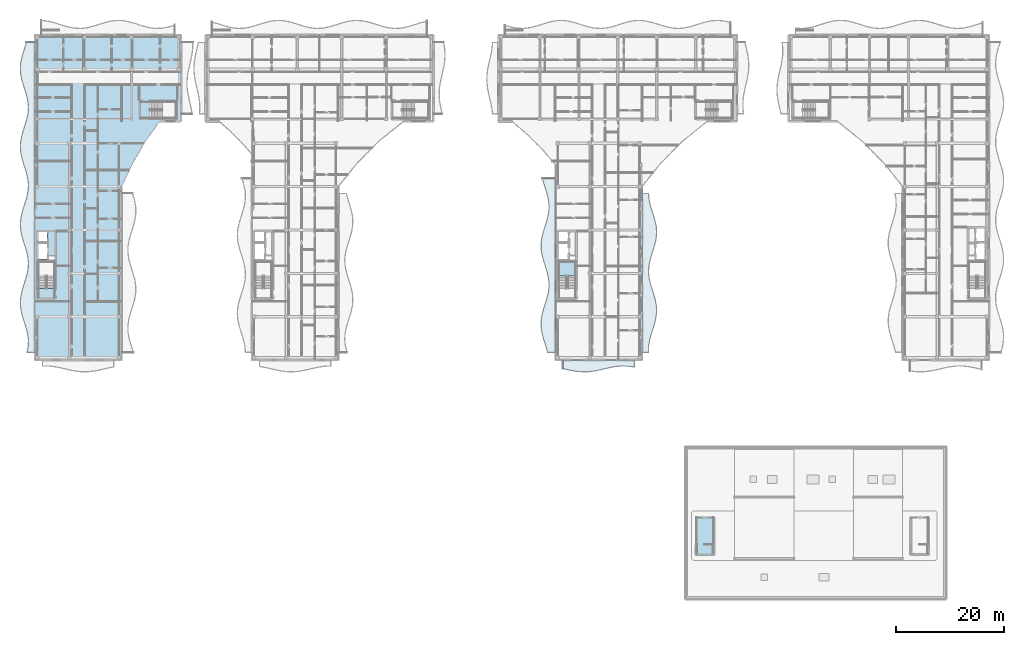
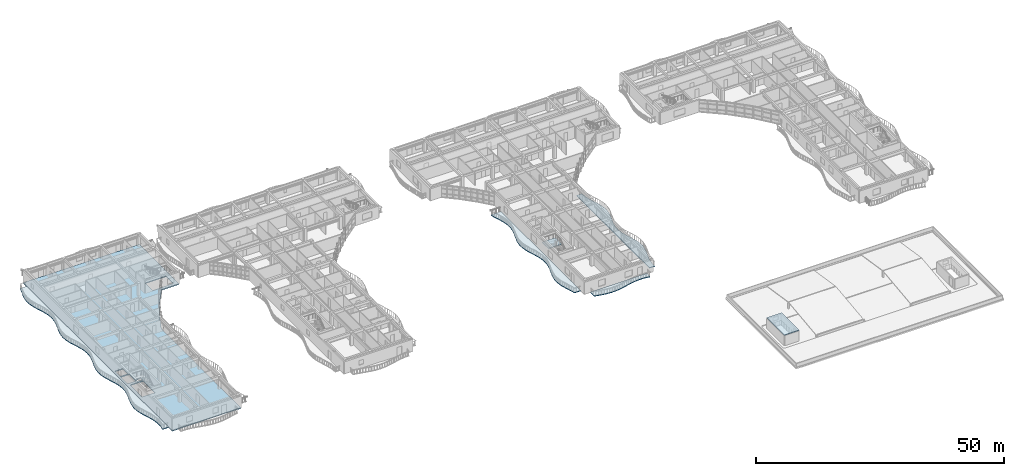
# One storey, part 29 of 79: 7 slabs, 1 element without a shape of its own.
"""IFC4 building model written with IfcOpenShell, lengths in metres."""

from ifc_helpers import new_model, si_unit, direction, frame, origin, place, context, subcontext, project, spatial, polyline, outline, extrude, material, layer, layer_set, type_object, element, aggregate, save


model = new_model("IFC4")

# Units and contexts
model_context = context("Model", 3, precision=1e-05, world=origin(), true_north=direction((0.0, 1.0)))
body_context = subcontext(model_context, "Body", "Model", "MODEL_VIEW")
ifc_project = project(units=[si_unit("LENGTHUNIT", "METRE"), si_unit("AREAUNIT", "SQUARE_METRE"), si_unit("VOLUMEUNIT", "CUBIC_METRE"), si_unit("PLANEANGLEUNIT", "RADIAN"), si_unit("MASSUNIT", "GRAM", prefix="KILO")], contexts=[model_context])

# Site, building, storey
site_placement = place(None, origin())
site = spatial("IfcSite", under=ifc_project, at=site_placement, CompositionType="ELEMENT")
building_placement = place(site_placement, origin())
building = spatial("IfcBuilding", under=site, at=building_placement, Name="Keldmere Railside Commons", CompositionType="ELEMENT")
storey_placement = place(building_placement, frame((0.0, 0.0, 10.56005859375)))
storey = spatial("IfcBuildingStorey", under=building, at=storey_placement, Name="L03", CompositionType="ELEMENT", Elevation=10.56005859375)

# Slab
ifc_material_1 = material(Name="Concrete H-35 (C35/45)", Category="concrete")
ifc_layer_1 = layer(ifc_material_1, 0.14990234375, Name="Canopy & Headhouse Roof Slab 150")
ifc_layer_set_1 = layer_set([ifc_layer_1], Name="Concrete H-35 (C35/45)")
slab_type_1 = type_object("IfcSlabType", Name="Canopy & Headhouse Roof Slab 150", PredefinedType="ROOF", material=ifc_layer_set_1)
slab_1_placement = place(storey_placement, frame((0.0, 0.0, 2.5)))
element("IfcSlab", 1, at=slab_1_placement, inside=storey, type_object=slab_type_1, Name="RT-3 Arcade Headhouse Roof 1", PredefinedType="ROOF", context=body_context, shape_type="SweptSolid", body=[
    extrude(outline(polyline([(129.81005859375, 20.050048828125), (133.300048828125, 20.050048828125), (133.300048828125, 27.14990234375), (129.81005859375, 27.14990234375), (129.81005859375, 20.050048828125)])), origin(), (0.0, 0.0, 1.0), 0.14990234375),
])

# Stair, slab
ifc_material_2 = material(Name="Concrete H-30 (C30/37)", Category="concrete")
stair_type = type_object("IfcStairType", Name="Basement Garage Dogleg Escape Stair 1450", PredefinedType="HALF_TURN_STAIR", material=ifc_material_2)
stair_placement = place(storey_placement, origin())
stair = element("IfcStair", 2, at=stair_placement, inside=storey, type_object=stair_type, Name="L03 Block B Primary Escape Stair 1", PredefinedType="HALF_TURN_STAIR")
ifc_layer_2 = layer(ifc_material_2, 0.199951171875, Name="Enclosed Stair Landing Slab 200")
ifc_layer_set_2 = layer_set([ifc_layer_2], Name="Concrete H-30 (C30/37)")
slab_type_2 = type_object("IfcSlabType", Name="Enclosed Stair Landing Slab 200", PredefinedType="LANDING", material=ifc_layer_set_2)
slab_2_placement = place(storey_placement, frame((0.0, 0.0, 1.39990234375)))
slab_2 = element("IfcSlab", 3, at=slab_2_placement, type_object=slab_type_2, Name="ST-B1 landing 1", PredefinedType="LANDING", context=body_context, shape_type="SweptSolid", body=[
    extrude(outline(polyline([(107.699951171875, 71.52001953125), (107.699951171875, 74.10009765625), (104.64990234375, 74.10009765625), (104.64990234375, 71.52001953125), (107.699951171875, 71.52001953125)])), origin(), (0.0, 0.0, 1.0), 0.199951171875),
])
aggregate(stair, [slab_2])

# Slabs
ifc_layer_3 = layer(ifc_material_2, 0.219970703125, Name="Residential Flat Slab 220")
ifc_layer_set_3 = layer_set([ifc_layer_3], Name="Concrete H-30 (C30/37)")
slab_type_3 = type_object("IfcSlabType", Name="Residential Flat Slab 220", PredefinedType="FLOOR", material=ifc_layer_set_3)
slab_3_placement = place(storey_placement, frame((0.0, 0.0, -0.219970703125)))
element("IfcSlab", 4, at=slab_3_placement, inside=storey, type_object=slab_type_3, Name="FS-2 BLKD-L03-010", PredefinedType="FLOOR", context=body_context, shape_type="SweptSolid", body=[
    extrude(outline(polyline([(8.0, 56.0), (24.0, 56.0), (24.0, 88.0), (25.971923828125, 92.202880859375), (28.31201171875, 96.214111328125), (31.0, 100.0), (35.0, 100.0), (35.0, 116.0), (8.0, 116.0), (8.0, 56.0)]), holes=[polyline([(11.675048828125, 69.22509765625), (8.675048828125, 69.22509765625), (8.675048828125, 74.074951171875), (11.675048828125, 74.074951171875), (11.675048828125, 69.22509765625)]), polyline([(11.699951171875, 74.419921875), (10.60009765625, 74.419921875), (10.60009765625, 75.159912109375), (11.699951171875, 75.159912109375), (11.699951171875, 74.419921875)]), polyline([(8.39990234375, 74.699951171875), (8.39990234375, 77.5), (10.39990234375, 77.5), (10.39990234375, 74.699951171875), (8.39990234375, 74.699951171875)]), polyline([(8.39990234375, 77.75), (8.39990234375, 79.800048828125), (10.300048828125, 79.800048828125), (10.300048828125, 77.75), (8.39990234375, 77.75)]), polyline([(29.22509765625, 103.625), (34.074951171875, 103.625), (34.074951171875, 100.625), (29.22509765625, 100.625), (29.22509765625, 103.625)])]), origin(), (0.0, 0.0, 1.0), 0.219970703125),
])
ifc_material_3 = material(Name="White Precast Concrete H-35 (C35/45)", Category="concrete")
ifc_layer_4 = layer(ifc_material_3, 0.179931640625, Name="Sinusoidal Wave Balcony Slab 180")
ifc_layer_set_4 = layer_set([ifc_layer_4], Name="White Precast Concrete H-35 (C35/45)")
slab_type_4 = type_object("IfcSlabType", Name="Sinusoidal Wave Balcony Slab 180", PredefinedType="FLOOR", material=ifc_layer_set_4)
slab_4_placement = place(storey_placement, frame((0.0, 0.0, -0.18017578125)))
element("IfcSlab", 5, at=slab_4_placement, inside=storey, type_object=slab_type_4, Name="WB-1 D L03 CW Wave Balcony", PredefinedType="FLOOR", context=body_context, shape_type="SweptSolid", body=[
    extrude(outline(polyline([(8.0, 57.39990234375), (8.0, 58.591796875), (8.0, 59.783203125), (8.0, 60.97509765625), (8.0, 62.166748046875), (8.0, 63.3583984375), (8.0, 64.550048828125), (8.0, 65.74169921875), (8.0, 66.933349609375), (8.0, 68.125), (8.0, 69.316650390625), (8.0, 70.50830078125), (8.0, 71.699951171875), (8.0, 72.8916015625), (8.0, 74.083251953125), (8.0, 75.27490234375), (8.0, 76.466796875), (8.0, 77.658203125), (8.0, 78.85009765625), (8.0, 80.041748046875), (8.0, 81.2333984375), (8.0, 82.425048828125), (8.0, 83.61669921875), (8.0, 84.808349609375), (8.0, 86.0), (8.0, 87.191650390625), (8.0, 88.38330078125), (8.0, 89.574951171875), (8.0, 90.7666015625), (8.0, 91.958251953125), (8.0, 93.14990234375), (8.0, 94.341796875), (8.0, 95.533203125), (8.0, 96.72509765625), (8.0, 97.916748046875), (8.0, 99.1083984375), (8.0, 100.300048828125), (8.0, 101.49169921875), (8.0, 102.683349609375), (8.0, 103.875), (8.0, 105.066650390625), (8.0, 106.25830078125), (8.0, 107.449951171875), (8.0, 108.6416015625), (8.0, 109.833251953125), (8.0, 111.02490234375), (8.0, 112.216796875), (8.0, 113.408203125), (8.0, 114.60009765625), (6.431640625, 114.60009765625), (6.060302734375, 113.408203125), (5.6865234375, 112.216796875), (5.40869140625, 111.02490234375), (5.30029296875, 109.833251953125), (5.39013671875, 108.6416015625), (5.654296875, 107.449951171875), (6.023193359375, 106.25830078125), (6.399169921875, 105.066650390625), (6.682861328125, 103.875), (6.79931640625, 102.683349609375), (6.717529296875, 101.49169921875), (6.45947265625, 100.300048828125), (6.093017578125, 99.1083984375), (5.71533203125, 97.916748046875), (5.426025390625, 96.72509765625), (5.3017578125, 95.533203125), (5.375244140625, 94.341796875), (5.626953125, 93.14990234375), (5.990478515625, 91.958251953125), (6.369873046875, 90.7666015625), (6.66455078125, 89.574951171875), (6.796875, 88.38330078125), (6.731689453125, 87.191650390625), (6.486572265625, 86.0), (6.125732421875, 84.808349609375), (5.7451171875, 83.61669921875), (5.44482421875, 82.425048828125), (5.3046875, 81.2333984375), (5.361572265625, 80.041748046875), (5.600341796875, 78.85009765625), (5.9580078125, 77.658203125), (6.340087890625, 76.466796875), (6.645263671875, 75.27490234375), (6.793212890625, 74.083251953125), (6.744873046875, 72.8916015625), (6.5126953125, 71.699951171875), (6.158203125, 70.50830078125), (5.775146484375, 69.316650390625), (5.46484375, 68.125), (5.30908203125, 66.933349609375), (5.34912109375, 65.74169921875), (5.57470703125, 64.550048828125), (5.925537109375, 63.3583984375), (6.3095703125, 62.166748046875), (6.624755859375, 60.97509765625), (6.7880859375, 59.783203125), (6.756591796875, 58.591796875), (6.5380859375, 57.39990234375), (8.0, 57.39990234375)])), origin(), (0.0, 0.0, 1.0), 0.18017578125),
])
slab_5_placement = place(storey_placement, frame((0.0, 0.0, -0.18017578125)))
element("IfcSlab", 6, at=slab_5_placement, inside=storey, type_object=slab_type_4, Name="WB-1 B L03 CE Wave Balcony", PredefinedType="FLOOR", context=body_context, shape_type="SweptSolid", body=[
    extrude(outline(polyline([(121.2255859375, 57.39990234375), (121.2275390625, 58.625), (121.430908203125, 59.85009765625), (121.779296875, 61.074951171875), (122.175048828125, 62.300048828125), (122.50830078125, 63.52490234375), (122.685546875, 64.75), (122.65771484375, 65.97509765625), (122.432373046875, 67.199951171875), (122.072509765625, 68.425048828125), (121.6787109375, 69.64990234375), (121.3603515625, 70.875), (121.20654296875, 72.10009765625), (121.260009765625, 73.324951171875), (121.506103515625, 74.550048828125), (121.8759765625, 75.77490234375), (122.2666015625, 77.0), (122.56884765625, 78.22509765625), (122.698486328125, 79.449951171875), (122.619140625, 80.675048828125), (122.353271484375, 81.89990234375), (121.97509765625, 83.125), (121.589599609375, 84.35009765625), (121.3046875, 85.574951171875), (121.199951171875, 86.800048828125), (120.0, 86.800048828125), (120.0, 85.574951171875), (120.0, 84.35009765625), (120.0, 83.125), (120.0, 81.89990234375), (120.0, 80.675048828125), (120.0, 79.449951171875), (120.0, 78.22509765625), (120.0, 77.0), (120.0, 75.77490234375), (120.0, 74.550048828125), (120.0, 73.324951171875), (120.0, 72.10009765625), (120.0, 70.875), (120.0, 69.64990234375), (120.0, 68.425048828125), (120.0, 67.199951171875), (120.0, 65.97509765625), (120.0, 64.75), (120.0, 63.52490234375), (120.0, 62.300048828125), (120.0, 61.074951171875), (120.0, 59.85009765625), (120.0, 58.625), (120.0, 57.39990234375), (121.2255859375, 57.39990234375)])), origin(), (0.0, 0.0, 1.0), 0.18017578125),
])
slab_6_placement = place(storey_placement, frame((0.0, 0.0, -0.18017578125)))
element("IfcSlab", 7, at=slab_6_placement, inside=storey, type_object=slab_type_4, Name="WB-1 B L03 CW Wave Balcony", PredefinedType="FLOOR", context=body_context, shape_type="SweptSolid", body=[
    extrude(outline(polyline([(104.0, 57.39990234375), (104.0, 58.5888671875), (104.0, 59.77783203125), (104.0, 60.966796875), (104.0, 62.155517578125), (104.0, 63.344482421875), (104.0, 64.533203125), (104.0, 65.72216796875), (104.0, 66.9111328125), (104.0, 68.10009765625), (104.0, 69.288818359375), (104.0, 70.477783203125), (104.0, 71.666748046875), (104.0, 72.855712890625), (104.0, 74.04443359375), (104.0, 75.2333984375), (104.0, 76.422119140625), (104.0, 77.611083984375), (104.0, 78.800048828125), (104.0, 79.989013671875), (104.0, 81.177734375), (104.0, 82.36669921875), (104.0, 83.5556640625), (104.0, 84.744384765625), (104.0, 85.933349609375), (104.0, 87.122314453125), (104.0, 88.31103515625), (104.0, 89.5), (101.56298828125, 89.5), (101.909912109375, 88.31103515625), (102.293701171875, 87.122314453125), (102.61328125, 85.933349609375), (102.78466796875, 84.744384765625), (102.7626953125, 83.5556640625), (102.553466796875, 82.36669921875), (102.21142578125, 81.177734375), (101.8271484375, 79.989013671875), (101.50146484375, 78.800048828125), (101.320068359375, 77.611083984375), (101.330810546875, 76.422119140625), (101.53076171875, 75.2333984375), (101.8671875, 74.04443359375), (102.251953125, 72.855712890625), (102.58349609375, 71.666748046875), (102.774658203125, 70.477783203125), (102.775146484375, 69.288818359375), (102.5849609375, 68.10009765625), (102.25390625, 66.9111328125), (101.869140625, 65.72216796875), (101.531982421875, 64.533203125), (101.331298828125, 63.344482421875), (101.319580078125, 62.155517578125), (101.5, 60.966796875), (101.8251953125, 59.77783203125), (102.209716796875, 58.5888671875), (102.552001953125, 57.39990234375), (104.0, 57.39990234375)])), origin(), (0.0, 0.0, 1.0), 0.18017578125),
])
slab_7_placement = place(storey_placement, frame((0.0, 0.0, -0.18017578125)))
element("IfcSlab", 8, at=slab_7_placement, inside=storey, type_object=slab_type_4, Name="WB-1 B L03 S Wave Balcony", PredefinedType="FLOOR", context=body_context, shape_type="SweptSolid", body=[
    extrude(outline(polyline([(105.39990234375, 54.423095703125), (106.60009765625, 54.140625), (107.800048828125, 53.914306640625), (109.0, 53.804931640625), (110.199951171875, 53.84130859375), (111.39990234375, 54.01416015625), (112.60009765625, 54.277099609375), (113.800048828125, 54.559326171875), (115.0, 54.78564453125), (116.199951171875, 54.89501953125), (117.39990234375, 54.858642578125), (118.60009765625, 54.685791015625), (118.60009765625, 56.0), (117.39990234375, 56.0), (116.199951171875, 56.0), (115.0, 56.0), (113.800048828125, 56.0), (112.60009765625, 56.0), (111.39990234375, 56.0), (110.199951171875, 56.0), (109.0, 56.0), (107.800048828125, 56.0), (106.60009765625, 56.0), (105.39990234375, 56.0), (105.39990234375, 54.423095703125)])), origin(), (0.0, 0.0, 1.0), 0.18017578125),
])

save(model, "model.ifc")
